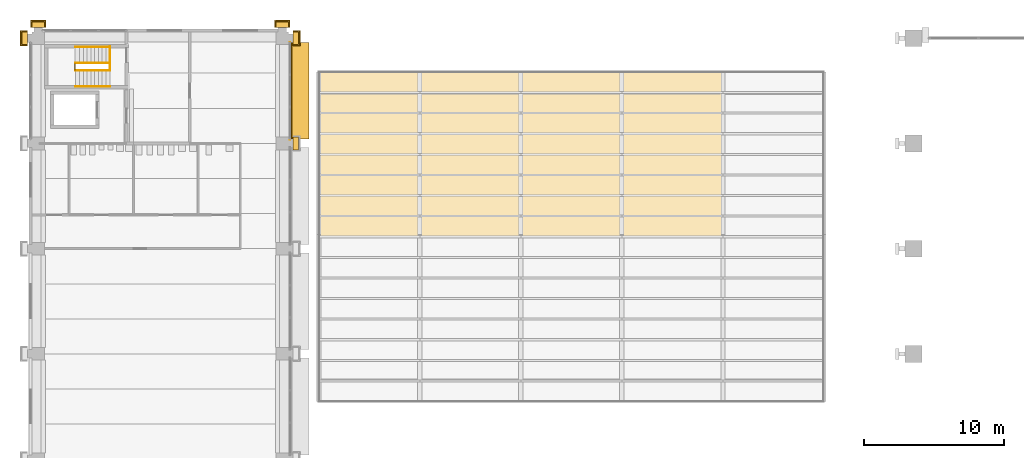
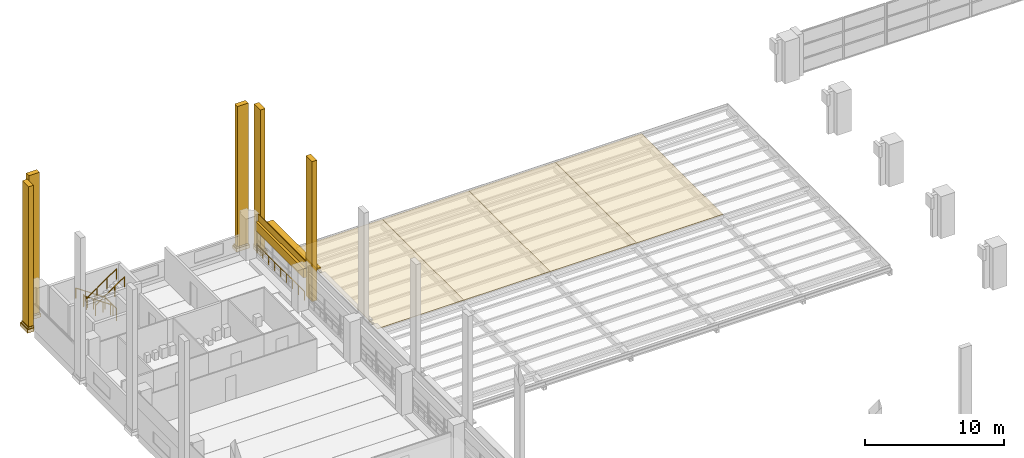
# One storey, part 53 of 67: 18 coverings, 7 railings, 1 shading device, 1 element without a shape of its own.
"""IFC4 building model written with IfcOpenShell, lengths in metres."""

from ifc_helpers import new_model, si_unit, direction, frame, origin, origin_2d, place, context, subcontext, project, spatial, polyline, circle, outline, extrude, material, layer, layer_set, type_object, element, aggregate, save


model = new_model("IFC4")

# Units and contexts
model_context = context("Model", 3, precision=1e-05, world=origin(), true_north=direction((0.0, 1.0)))
body_context = subcontext(model_context, "Body", "Model", "MODEL_VIEW")
ifc_project = project(units=[si_unit("LENGTHUNIT", "METRE"), si_unit("AREAUNIT", "SQUARE_METRE"), si_unit("VOLUMEUNIT", "CUBIC_METRE"), si_unit("PLANEANGLEUNIT", "RADIAN"), si_unit("MASSUNIT", "GRAM", prefix="KILO")], contexts=[model_context])

# Site, building, storey
site_placement = place(None, origin())
site = spatial("IfcSite", under=ifc_project, at=site_placement, CompositionType="ELEMENT")
building_placement = place(site_placement, origin())
building = spatial("IfcBuilding", under=site, at=building_placement, Name="Cour d'Honneur Mobility Palace", CompositionType="ELEMENT")
storey_placement = place(building_placement, frame((0.0, 0.0, 4.5)))
storey = spatial("IfcBuildingStorey", under=building, at=storey_placement, Name="L01", CompositionType="ELEMENT", Elevation=4.5)

# Railing
ifc_material_1 = material(Name="Painted steel", Category="steel")
railing_type_1 = type_object("IfcRailingType", Name="Balustrade", PredefinedType="BALUSTRADE", material=ifc_material_1)
railing_1_placement = place(storey_placement, frame((17.949951171875, 107.699951171875, 0.300048828125)))
element("IfcRailing", 1, at=railing_1_placement, inside=storey, type_object=railing_type_1, Name="Balustrade BAL-63", PredefinedType="BALUSTRADE", context=body_context, shape_type="SweptSolid", body=[
    extrude(circle(Radius=0.02392578125, at=origin_2d()), frame((0.0, 0.0, 0.77587890625), z_axis=(0.0, 1.0, 0.0), x_axis=(-1.0, 0.0, 0.0)), (0.0, 0.0, 1.0), 6.900146484375),
    extrude(circle(Radius=0.02099609375, at=origin_2d()), origin(), (0.0, 0.0, 1.0), 0.751953125),
    extrude(circle(Radius=0.02099609375, at=origin_2d()), frame((0.0, 0.862548828125, 0.0)), (0.0, 0.0, 1.0), 0.751953125),
    extrude(circle(Radius=0.02099609375, at=origin_2d()), frame((0.0, 1.72509765625, 0.0)), (0.0, 0.0, 1.0), 0.751953125),
    extrude(circle(Radius=0.02099609375, at=origin_2d()), frame((0.0, 2.587646484375, 0.0)), (0.0, 0.0, 1.0), 0.751953125),
    extrude(circle(Radius=0.02099609375, at=origin_2d()), frame((0.0, 3.4501953125, 0.0)), (0.0, 0.0, 1.0), 0.751953125),
    extrude(circle(Radius=0.02099609375, at=origin_2d()), frame((0.0, 4.3125, 0.0)), (0.0, 0.0, 1.0), 0.751953125),
    extrude(circle(Radius=0.02099609375, at=origin_2d()), frame((0.0, 5.175048828125, 0.0)), (0.0, 0.0, 1.0), 0.751953125),
    extrude(circle(Radius=0.02099609375, at=origin_2d()), frame((0.0, 6.03759765625, 0.0)), (0.0, 0.0, 1.0), 0.751953125),
    extrude(circle(Radius=0.02099609375, at=origin_2d()), frame((0.0, 6.900146484375, 0.0)), (0.0, 0.0, 1.0), 0.751953125),
])

# Roof, coverings
ifc_material_2 = material(Name="Zinc standing seam")
ifc_layer_1 = layer(ifc_material_2, 0.050048828125)
ifc_layer_set_1 = layer_set([ifc_layer_1], Name="Zinc standing seam")
roof_type = type_object("IfcRoofType", Name="Forecourt canopy", PredefinedType="FLAT_ROOF", material=ifc_layer_set_1)
roof_placement = place(storey_placement, origin())
roof = element("IfcRoof", 2, at=roof_placement, inside=storey, type_object=roof_type, Name="Forecourt canopy roof W", PredefinedType="FLAT_ROOF")
ifc_material_3 = material(Name="Zinc standing seam")
ifc_layer_2 = layer(ifc_material_3, 0.050048828125)
ifc_layer_set_2 = layer_set([ifc_layer_2], Name="Zinc standing seam")
covering_type_1 = type_object("IfcCoveringType", Name="Canopy roof panel", PredefinedType="ROOFING", material=ifc_layer_set_2)
covering_1_placement = place(storey_placement, frame((20.0, 100.75, 1.300048828125), z_axis=(0.0, 0.0, 1.0), x_axis=(1.0, 0.0, 0.0)))
covering_1 = element("IfcCovering", 3, at=covering_1_placement, type_object=covering_type_1, Name="Canopy roof panel FCS-W2", PredefinedType="ROOFING", context=body_context, shape_type="SweptSolid", body=[
    extrude(outline(polyline([(0.0, 0.0), (7.199951171875, 0.0), (7.199951171875, 11.75), (0.0, 11.75), (0.0, 0.0)])), origin(), (0.0, 0.0, -1.0), 0.050048828125),
])
covering_2_placement = place(storey_placement, frame((27.199951171875, 100.75, 1.300048828125), z_axis=(0.0, 0.0, 1.0), x_axis=(1.0, 0.0, 0.0)))
covering_2 = element("IfcCovering", 4, at=covering_2_placement, type_object=covering_type_1, Name="Canopy roof panel FCS-W4", PredefinedType="ROOFING", context=body_context, shape_type="SweptSolid", body=[
    extrude(outline(polyline([(0.0, 0.0), (7.199951171875, 0.0), (7.199951171875, 11.75), (0.0, 11.75), (0.0, 0.0)])), origin(), (0.0, 0.0, -1.0), 0.050048828125),
])
covering_3_placement = place(storey_placement, frame((34.39990234375, 100.75, 1.300048828125), z_axis=(0.0, 0.0, 1.0), x_axis=(1.0, 0.0, 0.0)))
covering_3 = element("IfcCovering", 5, at=covering_3_placement, type_object=covering_type_1, Name="Canopy roof panel FCS-W6", PredefinedType="ROOFING", context=body_context, shape_type="SweptSolid", body=[
    extrude(outline(polyline([(0.0, 0.0), (7.2001953125, 0.0), (7.2001953125, 11.75), (0.0, 11.75), (0.0, 0.0)])), origin(), (0.0, 0.0, -1.0), 0.050048828125),
])
covering_4_placement = place(storey_placement, frame((41.60009765625, 100.75, 1.300048828125), z_axis=(0.0, 0.0, 1.0), x_axis=(1.0, 0.0, 0.0)))
covering_4 = element("IfcCovering", 6, at=covering_4_placement, type_object=covering_type_1, Name="Canopy roof panel FCS-W8", PredefinedType="ROOFING", context=body_context, shape_type="SweptSolid", body=[
    extrude(outline(polyline([(0.0, 0.0), (7.199951171875, 0.0), (7.199951171875, 11.75), (0.0, 11.75), (0.0, 0.0)])), origin(), (0.0, 0.0, -1.0), 0.050048828125),
])
aggregate(roof, [covering_1, covering_2, covering_3, covering_4])

# Railings
ifc_material_4 = material(Name="Painted steel", Category="steel")
railing_type_2 = type_object("IfcRailingType", Name="Guardrail 1100", PredefinedType="GUARDRAIL", material=ifc_material_4)
railing_2_placement = place(storey_placement, frame((5.1201171875, 112.64990234375, 0.0)))
element("IfcRailing", 7, at=railing_2_placement, inside=storey, type_object=railing_type_2, Name="Guard ST-NW1", PredefinedType="GUARDRAIL", context=body_context, shape_type="SweptSolid", body=[
    extrude(circle(Radius=0.02490234375, at=origin_2d()), frame((0.0, 0.0, 1.0751953125), z_axis=(0.0, 1.0, 0.0), x_axis=(-1.0, 0.0, 0.0)), (0.0, 0.0, 1.0), 1.675048828125),
    extrude(circle(Radius=0.02099609375, at=origin_2d()), origin(), (0.0, 0.0, 1.0), 1.050048828125),
    extrude(circle(Radius=0.02099609375, at=origin_2d()), frame((0.0, 0.83740234375, 0.0)), (0.0, 0.0, 1.0), 1.050048828125),
    extrude(circle(Radius=0.02099609375, at=origin_2d()), frame((0.0, 1.675048828125, 0.0)), (0.0, 0.0, 1.0), 1.050048828125),
])
railing_3_placement = place(storey_placement, frame((2.610107421875, 112.64990234375, 1.85009765625)))
element("IfcRailing", 8, at=railing_3_placement, inside=storey, type_object=railing_type_2, Name="Landing guard ST-NW1", PredefinedType="GUARDRAIL", context=body_context, shape_type="SweptSolid", body=[
    extrude(circle(Radius=0.02490234375, at=origin_2d()), frame((0.0, 0.0, 1.0751953125), z_axis=(0.0, 1.0, 0.0), x_axis=(-1.0, 0.0, 0.0)), (0.0, 0.0, 1.0), 0.425048828125),
    extrude(circle(Radius=0.02099609375, at=origin_2d()), origin(), (0.0, 0.0, 1.0), 1.050048828125),
    extrude(circle(Radius=0.02099609375, at=origin_2d()), frame((0.0, 0.425048828125, 0.0)), (0.0, 0.0, 1.0), 1.050048828125),
])
ifc_material_5 = material(Name="Stainless steel", Category="steel")
railing_type_3 = type_object("IfcRailingType", Name="Handrail round 50", PredefinedType="HANDRAIL", material=ifc_material_5)
for number, where, name in (
    (9, (5.10009765625, 114.27490234375, 0.18505859375), "Handrail ST-NW1"),
    (10, (5.10009765625, 113.125, 0.18505859375), "Handrail ST-NW1"),
):
    element("IfcRailing", number, at=place(storey_placement, frame(where)), inside=storey, type_object=railing_type_3, Name=name, PredefinedType="HANDRAIL", context=body_context, shape_type="SweptSolid", body=[
        extrude(circle(Radius=0.02490234375, at=origin_2d()), frame((0.0, 0.0, 0.89501953125), z_axis=(-0.824945253146, 0.0, 0.565212640793), x_axis=(0.0, -1.0, 0.0)), (0.0, 0.0, 1.0), 2.94580078125),
        extrude(circle(Radius=0.02099609375, at=origin_2d()), origin(), (0.0, 0.0, 1.0), 0.869873046875),
        extrude(circle(Radius=0.02099609375, at=origin_2d()), frame((-0.81005859375, 0.0, 0.554931640625)), (0.0, 0.0, 1.0), 0.869873046875),
        extrude(circle(Radius=0.02099609375, at=origin_2d()), frame((-1.6201171875, 0.0, 1.110107421875)), (0.0, 0.0, 1.0), 0.869873046875),
        extrude(circle(Radius=0.02099609375, at=origin_2d()), frame((-2.43017578125, 0.0, 1.6650390625)), (0.0, 0.0, 1.0), 0.869873046875),
    ])
for number, where, name in (
    (11, (2.669921875, 112.60009765625, 2.034912109375), "Handrail ST-NW1"),
    (12, (2.669921875, 111.449951171875, 2.034912109375), "Handrail ST-NW1"),
):
    element("IfcRailing", number, at=place(storey_placement, frame(where)), inside=storey, type_object=railing_type_3, Name=name, PredefinedType="HANDRAIL", context=body_context, shape_type="SweptSolid", body=[
        extrude(circle(Radius=0.02490234375, at=origin_2d()), frame((0.0, 0.0, 0.89501953125), z_axis=(0.824945253146, 0.0, 0.565212640793), x_axis=(0.0, 1.0, 0.0)), (0.0, 0.0, 1.0), 2.94580078125),
        extrude(circle(Radius=0.02099609375, at=origin_2d()), origin(), (0.0, 0.0, 1.0), 0.869873046875),
        extrude(circle(Radius=0.02099609375, at=origin_2d()), frame((0.81005859375, 0.0, 0.554931640625)), (0.0, 0.0, 1.0), 0.869873046875),
        extrude(circle(Radius=0.02099609375, at=origin_2d()), frame((1.6201171875, 0.0, 1.110107421875)), (0.0, 0.0, 1.0), 0.869873046875),
        extrude(circle(Radius=0.02099609375, at=origin_2d()), frame((2.43017578125, 0.0, 1.6650390625)), (0.0, 0.0, 1.0), 0.869873046875),
    ])

# Coverings
ifc_material_6 = material(Name="Cast limestone", Category="masonry")
ifc_layer_3 = layer(ifc_material_6, 0.14990234375)
ifc_layer_set_3 = layer_set([ifc_layer_3], Name="Cast limestone")
covering_type_2 = type_object("IfcCoveringType", Name="Pilaster base", PredefinedType="CLADDING", material=ifc_layer_set_3)
covering_5_placement = place(storey_placement, frame((0.0, 0.0, 0.10009765625)))
element("IfcCovering", 13, at=covering_5_placement, inside=storey, type_object=covering_type_2, Name="Pilaster base PB-173", PredefinedType="CLADDING", context=body_context, shape_type="SweptSolid", body=[
    extrude(outline(polyline([(18.14990234375, 114.35009765625), (18.14990234375, 115.449951171875), (18.699951171875, 115.449951171875), (18.699951171875, 114.35009765625), (18.14990234375, 114.35009765625)])), origin(), (0.0, 0.0, 1.0), 0.2998046875),
])
covering_6_placement = place(storey_placement, frame((0.0, 0.0, 0.39990234375)))
element("IfcCovering", 14, at=covering_6_placement, inside=storey, type_object=covering_type_2, Name="Pilaster base PB-174", PredefinedType="CLADDING", context=body_context, shape_type="SweptSolid", body=[
    extrude(outline(polyline([(18.14990234375, 114.39990234375), (18.14990234375, 115.39990234375), (18.6201171875, 115.39990234375), (18.6201171875, 114.39990234375), (18.14990234375, 114.39990234375)])), origin(), (0.0, 0.0, 1.0), 0.150146484375),
])
covering_7_placement = place(storey_placement, frame((0.0, 0.0, 0.10009765625)))
element("IfcCovering", 15, at=covering_7_placement, inside=storey, type_object=covering_type_2, Name="Pilaster base PB-175", PredefinedType="CLADDING", context=body_context, shape_type="SweptSolid", body=[
    extrude(outline(polyline([(17.949951171875, 115.64990234375), (16.85009765625, 115.64990234375), (16.85009765625, 116.199951171875), (17.949951171875, 116.199951171875), (17.949951171875, 115.64990234375)])), origin(), (0.0, 0.0, 1.0), 0.2998046875),
])
covering_8_placement = place(storey_placement, frame((0.0, 0.0, 0.39990234375)))
element("IfcCovering", 16, at=covering_8_placement, inside=storey, type_object=covering_type_2, Name="Pilaster base PB-176", PredefinedType="CLADDING", context=body_context, shape_type="SweptSolid", body=[
    extrude(outline(polyline([(17.89990234375, 115.64990234375), (16.89990234375, 115.64990234375), (16.89990234375, 116.1201171875), (17.89990234375, 116.1201171875), (17.89990234375, 115.64990234375)])), origin(), (0.0, 0.0, 1.0), 0.150146484375),
])
covering_9_placement = place(storey_placement, frame((0.0, 0.0, 0.10009765625)))
element("IfcCovering", 17, at=covering_9_placement, inside=storey, type_object=covering_type_2, Name="Pilaster base PB-177", PredefinedType="CLADDING", context=body_context, shape_type="SweptSolid", body=[
    extrude(outline(polyline([(0.550048828125, 115.64990234375), (-0.550048828125, 115.64990234375), (-0.550048828125, 116.199951171875), (0.550048828125, 116.199951171875), (0.550048828125, 115.64990234375)])), origin(), (0.0, 0.0, 1.0), 0.2998046875),
])
covering_10_placement = place(storey_placement, frame((0.0, 0.0, 0.39990234375)))
element("IfcCovering", 18, at=covering_10_placement, inside=storey, type_object=covering_type_2, Name="Pilaster base PB-178", PredefinedType="CLADDING", context=body_context, shape_type="SweptSolid", body=[
    extrude(outline(polyline([(0.5, 115.64990234375), (-0.5, 115.64990234375), (-0.5, 116.1201171875), (0.5, 116.1201171875), (0.5, 115.64990234375)])), origin(), (0.0, 0.0, 1.0), 0.150146484375),
])
covering_11_placement = place(storey_placement, frame((0.0, 0.0, 0.10009765625)))
element("IfcCovering", 19, at=covering_11_placement, inside=storey, type_object=covering_type_2, Name="Pilaster base PB-179", PredefinedType="CLADDING", context=body_context, shape_type="SweptSolid", body=[
    extrude(outline(polyline([(-0.75, 115.449951171875), (-0.75, 114.35009765625), (-1.300048828125, 114.35009765625), (-1.300048828125, 115.449951171875), (-0.75, 115.449951171875)])), origin(), (0.0, 0.0, 1.0), 0.2998046875),
])
covering_12_placement = place(storey_placement, frame((0.0, 0.0, 0.39990234375)))
element("IfcCovering", 20, at=covering_12_placement, inside=storey, type_object=covering_type_2, Name="Pilaster base PB-180", PredefinedType="CLADDING", context=body_context, shape_type="SweptSolid", body=[
    extrude(outline(polyline([(-0.75, 115.39990234375), (-0.75, 114.39990234375), (-1.219970703125, 114.39990234375), (-1.219970703125, 115.39990234375), (-0.75, 115.39990234375)])), origin(), (0.0, 0.0, 1.0), 0.150146484375),
])
ifc_material_7 = material(Name="Cast limestone", Category="masonry")
ifc_layer_4 = layer(ifc_material_7, 0.39990234375)
ifc_layer_set_4 = layer_set([ifc_layer_4], Name="Cast limestone")
covering_type_3 = type_object("IfcCoveringType", Name="Pilaster shaft", PredefinedType="CLADDING", material=ifc_layer_set_4)
covering_13_placement = place(storey_placement, frame((0.0, 0.0, 0.550048828125)))
element("IfcCovering", 21, at=covering_13_placement, inside=storey, type_object=covering_type_3, Name="Pilaster shaft PS-86", PredefinedType="CLADDING", context=body_context, shape_type="SweptSolid", body=[
    extrude(outline(polyline([(18.14990234375, 106.949951171875), (18.14990234375, 107.85009765625), (18.550048828125, 107.85009765625), (18.550048828125, 106.949951171875), (18.14990234375, 106.949951171875)])), origin(), (0.0, 0.0, 1.0), 12.349853515625),
])
covering_14_placement = place(storey_placement, frame((0.0, 0.0, 0.550048828125)))
element("IfcCovering", 22, at=covering_14_placement, inside=storey, type_object=covering_type_3, Name="Pilaster shaft PS-87", PredefinedType="CLADDING", context=body_context, shape_type="SweptSolid", body=[
    extrude(outline(polyline([(18.14990234375, 114.449951171875), (18.14990234375, 115.35009765625), (18.550048828125, 115.35009765625), (18.550048828125, 114.449951171875), (18.14990234375, 114.449951171875)])), origin(), (0.0, 0.0, 1.0), 12.349853515625),
])
covering_15_placement = place(storey_placement, frame((0.0, 0.0, 0.550048828125)))
element("IfcCovering", 23, at=covering_15_placement, inside=storey, type_object=covering_type_3, Name="Pilaster shaft PS-88", PredefinedType="CLADDING", context=body_context, shape_type="SweptSolid", body=[
    extrude(outline(polyline([(17.85009765625, 115.64990234375), (16.949951171875, 115.64990234375), (16.949951171875, 116.050048828125), (17.85009765625, 116.050048828125), (17.85009765625, 115.64990234375)])), origin(), (0.0, 0.0, 1.0), 12.349853515625),
])
covering_16_placement = place(storey_placement, frame((0.0, 0.0, 0.550048828125)))
element("IfcCovering", 24, at=covering_16_placement, inside=storey, type_object=covering_type_3, Name="Pilaster shaft PS-89", PredefinedType="CLADDING", context=body_context, shape_type="SweptSolid", body=[
    extrude(outline(polyline([(0.449951171875, 115.64990234375), (-0.449951171875, 115.64990234375), (-0.449951171875, 116.050048828125), (0.449951171875, 116.050048828125), (0.449951171875, 115.64990234375)])), origin(), (0.0, 0.0, 1.0), 12.349853515625),
])
covering_17_placement = place(storey_placement, frame((0.0, 0.0, 0.550048828125)))
element("IfcCovering", 25, at=covering_17_placement, inside=storey, type_object=covering_type_3, Name="Pilaster shaft PS-90", PredefinedType="CLADDING", context=body_context, shape_type="SweptSolid", body=[
    extrude(outline(polyline([(-0.75, 115.35009765625), (-0.75, 114.449951171875), (-1.14990234375, 114.449951171875), (-1.14990234375, 115.35009765625), (-0.75, 115.35009765625)])), origin(), (0.0, 0.0, 1.0), 12.349853515625),
])
ifc_material_8 = material(Name="Cast limestone", Category="masonry")
ifc_layer_5 = layer(ifc_material_8, 0.25)
ifc_layer_set_5 = layer_set([ifc_layer_5], Name="Cast limestone")
covering_type_4 = type_object("IfcCoveringType", Name="Spandrel cladding", PredefinedType="CLADDING", material=ifc_layer_set_5)
covering_18_placement = place(storey_placement, frame((17.85009765625, 107.699951171875, 2.300048828125), z_axis=(0.0, -1.0, 0.0), x_axis=(1.0, 0.0, 0.0)))
element("IfcCovering", 26, at=covering_18_placement, inside=storey, type_object=covering_type_4, Name="Spandrel cladding SK-130", PredefinedType="CLADDING", context=body_context, shape_type="SweptSolid", body=[
    extrude(outline(polyline([(0.0, 0.0), (0.25, 0.0), (0.25, 1.39990234375), (0.199951171875, 1.39990234375), (0.199951171875, 0.800048828125), (0.0, 0.800048828125), (0.0, 0.0)])), origin(), (0.0, 0.0, -1.0), 6.89990234375),
])

# Shading device
ifc_material_9 = material(Name="Anodised aluminium", Category="aluminium")
ifc_layer_6 = layer(ifc_material_9, 0.1201171875)
ifc_layer_set_6 = layer_set([ifc_layer_6], Name="Anodised aluminium")
shading_device_type = type_object("IfcShadingDeviceType", Name="Sunshade 1200", PredefinedType="AWNING", material=ifc_layer_set_6)
shading_device_placement = place(storey_placement, frame((0.0, 0.0, 2.6298828125)))
element("IfcShadingDevice", 27, at=shading_device_placement, inside=storey, type_object=shading_device_type, Name="Sunshade E9.6 L01", PredefinedType="AWNING", context=body_context, shape_type="SweptSolid", body=[
    extrude(outline(polyline([(18.10009765625, 107.699951171875), (18.10009765625, 114.60009765625), (19.300048828125, 114.60009765625), (19.300048828125, 107.699951171875), (18.10009765625, 107.699951171875)])), origin(), (0.0, 0.0, 1.0), 0.1201171875),
])

save(model, "model.ifc")
